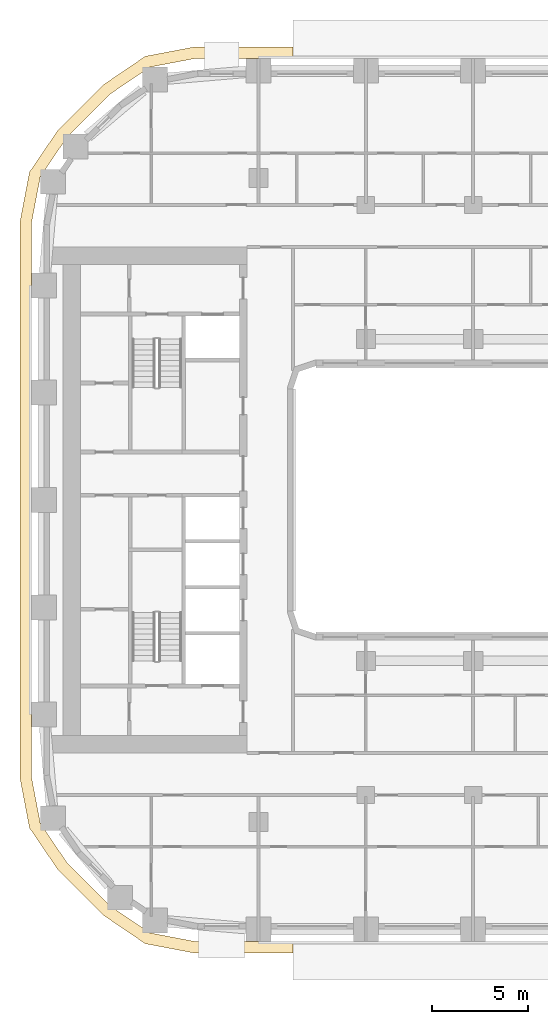
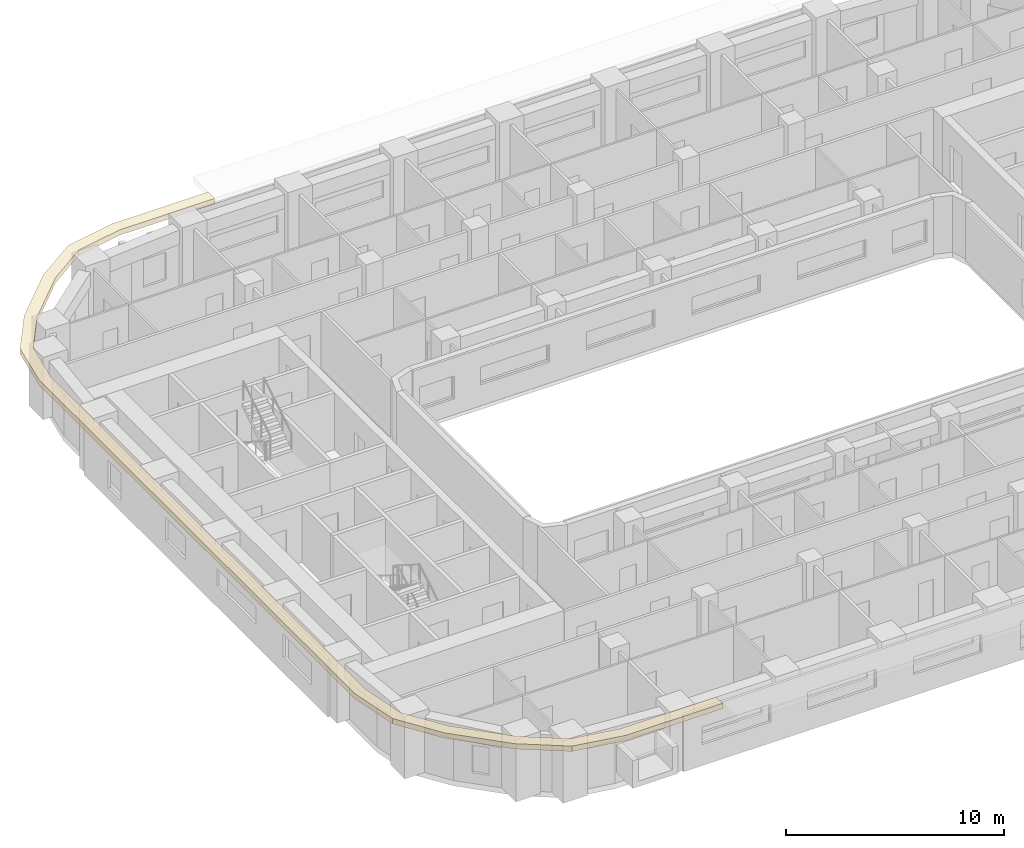
# One storey, part 14 of 22: 1 covering.
"""IFC4 building model written with IfcOpenShell, lengths in metres."""

import ifcopenshell
import ifcopenshell.guid

model = None  # the IFC model being written
_history = None  # IfcOwnerHistory: only IFC2X3 demands one
_inside = {}  # id of a spatial element -> (the spatial element, [elements in it])
_under = {}  # id of a project, library or spatial element -> (it, [spatial elements below it])
_declared = {}  # id of a project -> (the project, [libraries it declares])
_typed = {}  # id of a type object -> (the type object, [elements of that type])
_made_of = {}  # id of a material, layer set ... -> (it, [elements and type objects made of it])


def new_model(schema):
    """Start an empty IFC model of exactly this schema.

    Asked for "IFC4X3", IfcOpenShell would pick the latest addendum, in which some entities
    have other attributes; the version numbers below select the first issue.
    IFC2X3 requires an IfcOwnerHistory on every rooted entity: one is made here for all.
    """
    global model, _history
    if schema == "IFC4X3":
        model = ifcopenshell.file(schema_version=(4, 3, 0, 0))
    else:
        model = ifcopenshell.file(schema=schema)
    _inside.clear()
    _under.clear()
    _declared.clear()
    _typed.clear()
    _made_of.clear()
    _history = None
    if model.schema == "IFC2X3":
        org = make("IfcOrganization", Name="unknown")
        user = make(
            "IfcPersonAndOrganization",
            ThePerson=make("IfcPerson", FamilyName="unknown"),
            TheOrganization=org,
        )
        app = make(
            "IfcApplication",
            ApplicationDeveloper=org,
            Version="unknown",
            ApplicationFullName="unknown",
            ApplicationIdentifier="unknown",
        )
        _history = make(
            "IfcOwnerHistory",
            OwningUser=user,
            OwningApplication=app,
            ChangeAction="ADDED",
            CreationDate=0,
        )
    return model


def make(cls, **values):
    """One entity of the class cls with the attributes given. An attribute that is None is left unset."""
    return model.create_entity(
        cls, **{name: value for name, value in values.items() if value is not None}
    )


def rooted(cls, **values):
    """An entity with a GlobalId (a new one), such as an element, a storey or a relation."""
    return make(cls, GlobalId=ifcopenshell.guid.new(), OwnerHistory=_history, **values)


def si_unit(unit_type, name, prefix=None):
    """IfcSIUnit, for example si_unit("LENGTHUNIT", "METRE", prefix="MILLI")."""
    return make("IfcSIUnit", UnitType=unit_type, Prefix=prefix, Name=name)


def assignment(units):
    """IfcUnitAssignment: the units of a project."""
    return None if units is None else make("IfcUnitAssignment", Units=units)


def point(xyz):
    """IfcCartesianPoint."""
    return None if xyz is None else make("IfcCartesianPoint", Coordinates=xyz)


def direction(xyz):
    """IfcDirection."""
    return None if xyz is None else make("IfcDirection", DirectionRatios=xyz)


def frame(location, z_axis=None, x_axis=None):
    """IfcAxis2Placement3D, a coordinate frame: its origin and axes. An axis left out is left unset."""
    return make(
        "IfcAxis2Placement3D",
        Location=point(location),
        Axis=direction(z_axis),
        RefDirection=direction(x_axis),
    )


def origin():
    """The frame at (0, 0, 0) with its axes left unset."""
    return frame((0.0, 0.0, 0.0))


def place(relative_to, where):
    """IfcLocalPlacement: puts the frame where relative to a parent placement (None: the world)."""
    return make(
        "IfcLocalPlacement", PlacementRelTo=relative_to, RelativePlacement=where
    )


def context(
    kind, dimensions, precision=None, world=None, true_north=None, identifier=None
):
    """IfcGeometricRepresentationContext, for example the 3D "Model" context."""
    return make(
        "IfcGeometricRepresentationContext",
        ContextIdentifier=identifier,
        ContextType=kind,
        CoordinateSpaceDimension=dimensions,
        Precision=precision,
        WorldCoordinateSystem=world,
        TrueNorth=true_north,
    )


def subcontext(parent, identifier, kind, view, scale=None):
    """IfcGeometricRepresentationSubContext, for example "Body" below "Model"."""
    return make(
        "IfcGeometricRepresentationSubContext",
        ContextIdentifier=identifier,
        ContextType=kind,
        ParentContext=parent,
        TargetScale=scale,
        TargetView=view,
    )


def project(units=None, contexts=None):
    """IfcProject with its units and contexts."""
    return rooted(
        "IfcProject",
        Name="project",
        RepresentationContexts=contexts,
        UnitsInContext=assignment(units),
    )


def spatial(cls, under=None, at=None, **own):
    """A site, building, storey or space (cls), placed at a placement, below another one or the project."""
    s = rooted(cls, ObjectPlacement=at, **own)
    if under is not None:
        _under.setdefault(under.id(), (under, []))[1].append(s)
    return s


def polyline(points):
    """IfcPolyline through the points."""
    return make("IfcPolyline", Points=[point(p) for p in points])


def outline(outer, holes=None, kind="AREA"):
    """IfcArbitraryClosedProfileDef: a profile drawn as a closed curve; with holes, ...WithVoids."""
    if holes is None:
        return make("IfcArbitraryClosedProfileDef", ProfileType=kind, OuterCurve=outer)
    return make(
        "IfcArbitraryProfileDefWithVoids",
        ProfileType=kind,
        OuterCurve=outer,
        InnerCurves=holes,
    )


def extrude(swept, where, along, depth):
    """IfcExtrudedAreaSolid: the profile swept, set in the frame where, extruded along a direction by depth."""
    return make(
        "IfcExtrudedAreaSolid",
        SweptArea=swept,
        Position=where,
        ExtrudedDirection=direction(along),
        Depth=depth,
    )


def shape(context_of_items, identifier, shape_type, items):
    """IfcShapeRepresentation: the items that make up one representation, for example the "Body"."""
    return make(
        "IfcShapeRepresentation",
        ContextOfItems=context_of_items,
        RepresentationIdentifier=identifier,
        RepresentationType=shape_type,
        Items=items,
    )


def material(Name=None, Category=None):
    """IfcMaterial."""
    return make("IfcMaterial", Name=Name, Category=Category)


def layer(
    of_material, thickness, ventilated=None, Name=None, Category=None, Priority=None
):
    """IfcMaterialLayer: one layer of a wall or slab, of a material (None: an air gap)."""
    return make(
        "IfcMaterialLayer",
        Material=of_material,
        LayerThickness=thickness,
        IsVentilated=ventilated,
        Name=Name,
        Category=Category,
        Priority=Priority,
    )


def layer_set(layers, Name=None):
    """IfcMaterialLayerSet."""
    return make("IfcMaterialLayerSet", MaterialLayers=layers, LayerSetName=Name)


def made_of(thing, what):
    """Note that an element or type object is made of a material, layer set ...; save() writes the relation."""
    if what is not None:
        _made_of.setdefault(what.id(), (what, []))[1].append(thing)
    return thing


def type_object(cls, material=None, **own):
    """A type object (cls), such as IfcWallType, which elements share."""
    return made_of(rooted(cls, **own), material)


def element(
    cls,
    number,
    at=None,
    inside=None,
    cuts=None,
    type_object=None,
    material=None,
    context=None,
    identifier="Body",
    shape_type=None,
    held_by="IfcProductDefinitionShape",
    body=None,
    shapes=None,
    **own,
):
    """One element of the class cls, such as IfcWall. Its Tag is "e" and its number.

    at: its placement. inside: the storey or other place that contains it. cuts: it is an
    opening in that element (IfcRelVoidsElement). A single representation is given by context,
    identifier, shape_type and body (its items); several are given by shapes. held_by: the class
    of the entity that holds the representations. save() writes the other relations.
    """
    e = rooted(cls, Tag="e%d" % number, ObjectPlacement=at, **own)
    if body is not None:
        shapes = [shape(context, identifier, shape_type, body)]
    if shapes is not None:
        e.Representation = make(held_by, Representations=shapes)
    if inside is not None:
        _inside.setdefault(inside.id(), (inside, []))[1].append(e)
    if cuts is not None:
        rooted(
            "IfcRelVoidsElement", RelatingBuildingElement=cuts, RelatedOpeningElement=e
        )
    if type_object is not None:
        _typed.setdefault(type_object.id(), (type_object, []))[1].append(e)
    return made_of(e, material)


def aggregate(whole, parts):
    """IfcRelAggregates: a whole, such as a stair, and the parts it consists of."""
    return rooted("IfcRelAggregates", RelatingObject=whole, RelatedObjects=parts)


def save(model, path):
    """Write the relations noted so far, then the file.

    IfcRelAggregates (storeys below a building ...), IfcRelContainedInSpatialStructure (elements
    in a storey), IfcRelDefinesByType, IfcRelAssociatesMaterial and IfcRelDeclares: one each for
    every whole, place, type object, material and project.
    """
    for whole, parts in _under.values():
        aggregate(whole, parts)
    for where, things in _inside.values():
        rooted(
            "IfcRelContainedInSpatialStructure",
            RelatedElements=things,
            RelatingStructure=where,
        )
    for kind, things in _typed.values():
        rooted("IfcRelDefinesByType", RelatedObjects=things, RelatingType=kind)
    for what, things in _made_of.values():
        rooted("IfcRelAssociatesMaterial", RelatedObjects=things, RelatingMaterial=what)
    for by, libraries in _declared.values():
        rooted("IfcRelDeclares", RelatingContext=by, RelatedDefinitions=libraries)
    model.write(path)


model = new_model("IFC4")

# Units and contexts
model_context = context("Model", 3, precision=1e-05, world=origin(), true_north=direction((0.0, 1.0)))
body_context = subcontext(model_context, "Body", "Model", "MODEL_VIEW")
ifc_project = project(units=[si_unit("LENGTHUNIT", "METRE"), si_unit("AREAUNIT", "SQUARE_METRE"), si_unit("VOLUMEUNIT", "CUBIC_METRE"), si_unit("PLANEANGLEUNIT", "RADIAN"), si_unit("MASSUNIT", "GRAM", prefix="KILO")], contexts=[model_context])

# Site, building, storey
site_placement = place(None, origin())
site = spatial("IfcSite", under=ifc_project, at=site_placement, CompositionType="ELEMENT")
building_placement = place(site_placement, origin())
building = spatial("IfcBuilding", under=site, at=building_placement, Name="Kiln Ring Residences", CompositionType="ELEMENT")
storey_placement = place(building_placement, frame((0.0, 0.0, 97.300048828125)))
storey = spatial("IfcBuildingStorey", under=building, at=storey_placement, Name="L24", CompositionType="ELEMENT", Elevation=97.300048828125)

# Covering
ifc_material = material(Name="Black powder-coated steel", Category="steel")
ifc_layer = layer(ifc_material, 0.300048828125)
ifc_layer_set = layer_set([ifc_layer], Name="SUNSHADE FIN 600")
covering_type = type_object("IfcCoveringType", Name="SUNSHADE FIN 600", PredefinedType="CLADDING", material=ifc_layer_set)
covering_placement = place(storey_placement, frame((0.0, 0.0, 3.199951171875)))
element("IfcCovering", 1, at=covering_placement, inside=storey, type_object=covering_type, Name="SUNSHADE FIN L24", PredefinedType="CLADDING", context=body_context, shape_type="SweptSolid", body=[
    extrude(outline(polyline([(-29.25, -14.51806640625), (-28.755126953125, -17.11279296875), (-27.2705078125, -19.29736328125), (-24.8974609375, -21.67041015625), (-22.712890625, -23.155029296875), (-20.1181640625, -23.64990234375), (-15.0, -23.64990234375), (-15.0, -23.050048828125), (-20.061279296875, -23.050048828125), (-22.478271484375, -22.589111328125), (-24.51318359375, -21.2060546875), (-26.805908203125, -18.9130859375), (-28.18896484375, -16.87841796875), (-28.64990234375, -14.46142578125), (-28.64990234375, 14.46142578125), (-28.18896484375, 16.87841796875), (-26.805908203125, 18.9130859375), (-24.51318359375, 21.2060546875), (-22.478271484375, 22.589111328125), (-20.061279296875, 23.050048828125), (-15.0, 23.050048828125), (-15.0, 23.64990234375), (-20.1181640625, 23.64990234375), (-22.712890625, 23.155029296875), (-24.8974609375, 21.67041015625), (-27.2705078125, 19.29736328125), (-28.755126953125, 17.11279296875), (-29.25, 14.51806640625), (-29.25, -14.51806640625)])), origin(), (0.0, 0.0, 1.0), 0.300048828125),
])

save(model, "model.ifc")
